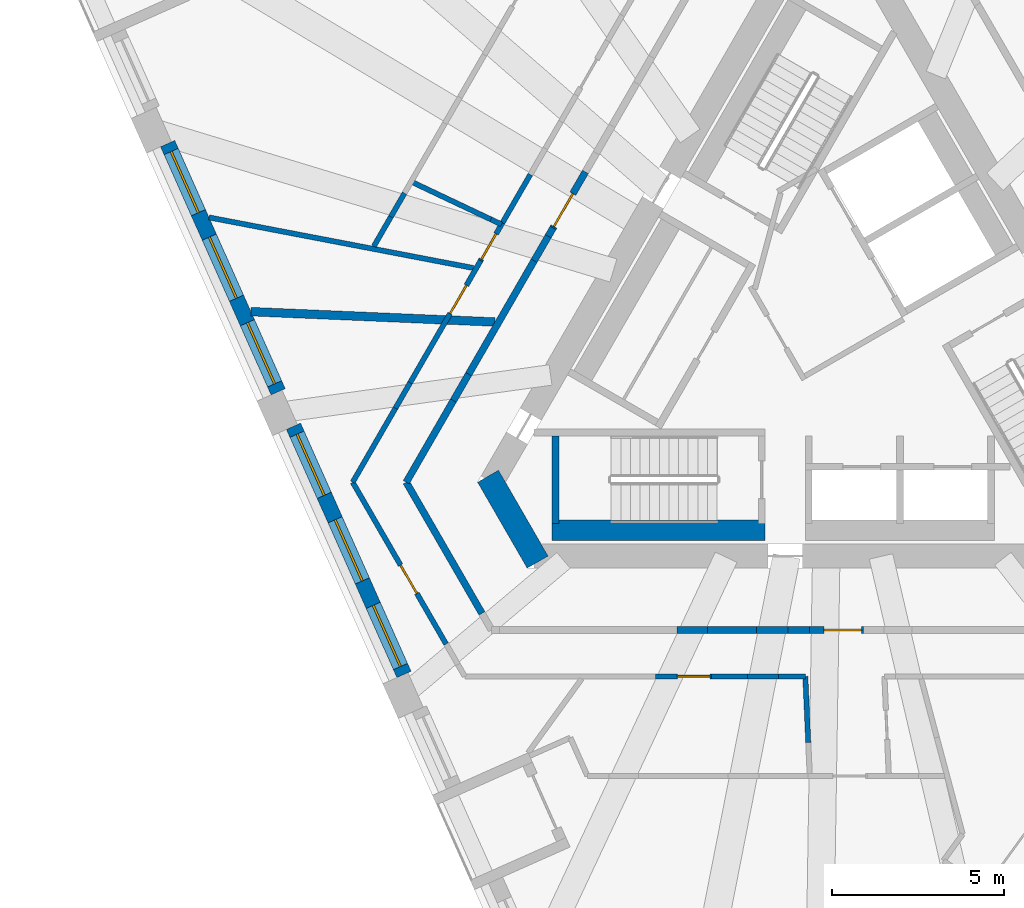
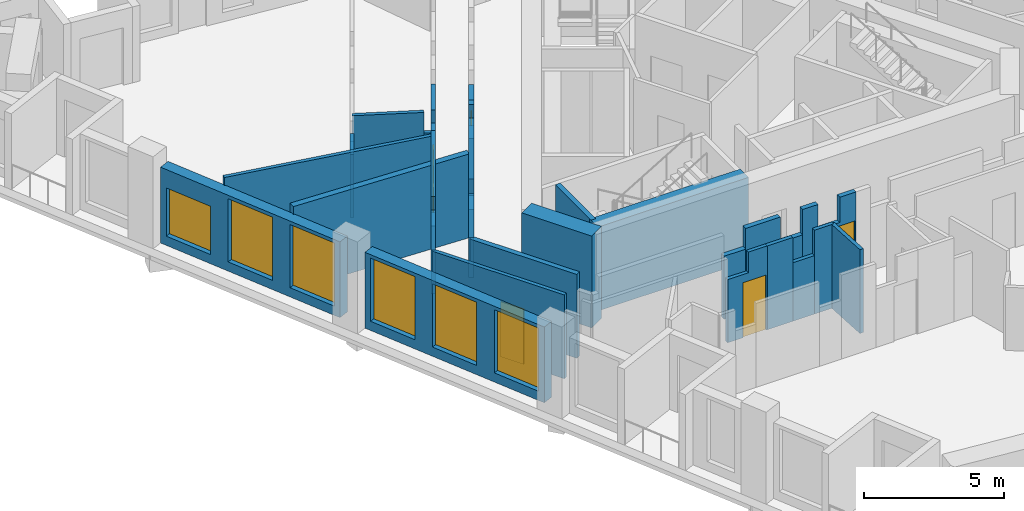
# One storey, part 3 of 11: 34 walls, 6 doors, 6 windows, 12 openings.
"""IFC4 building model written with IfcOpenShell, lengths in metres."""

from ifc_helpers import new_model, si_unit, direction, frame, frame_2d, origin, place, context, subcontext, project, spatial, polyline, rectangle, outline, extrude, material, layer, layer_set, type_object, element, fill, save


model = new_model("IFC4")

# Units and contexts
model_context = context("Model", 3, precision=1e-05, world=origin(), true_north=direction((0.0, 1.0)))
body_context = subcontext(model_context, "Body", "Model", "MODEL_VIEW")
ifc_project = project(units=[si_unit("LENGTHUNIT", "METRE"), si_unit("AREAUNIT", "SQUARE_METRE"), si_unit("VOLUMEUNIT", "CUBIC_METRE"), si_unit("PLANEANGLEUNIT", "RADIAN"), si_unit("MASSUNIT", "GRAM", prefix="KILO")], contexts=[model_context])

# Site, building, storey
site_placement = place(None, origin())
site = spatial("IfcSite", under=ifc_project, at=site_placement, CompositionType="ELEMENT")
building_placement = place(site_placement, origin())
building = spatial("IfcBuilding", under=site, at=building_placement, Name="Tramontana Tower", CompositionType="ELEMENT")
storey_placement = place(building_placement, frame((0.0, 0.0, 261.199951171875)))
storey = spatial("IfcBuildingStorey", under=building, at=storey_placement, Name="L61", CompositionType="ELEMENT", Elevation=261.199951171875)

# Wall
ifc_material_1 = material(Name="Concrete 70 MPa", Category="concrete")
ifc_layer_1 = layer(ifc_material_1, 0.699951171875)
ifc_layer_set_1 = layer_set([ifc_layer_1], Name="Core wall 700 70 MPa")
wall_type_1 = type_object("IfcWallType", Name="Core wall 700 70 MPa", PredefinedType="SHEAR", material=ifc_layer_set_1)
wall_1_placement = place(storey_placement, frame((-9.94482421875, -4.074951171875, 0.0), z_axis=(0.0, 0.0, 1.0), x_axis=(0.499995765644, -0.866027848477, 0.0)))
element("IfcWall", 1, at=wall_1_placement, inside=storey, type_object=wall_type_1, Name="Core wall C2 L61", PredefinedType="SHEAR", context=body_context, shape_type="SweptSolid", body=[
    extrude(rectangle(XDim=2.88671875, YDim=0.699951171875, at=frame_2d((1.443359375, 0.0))), origin(), (0.0, 0.0, 1.0), 4.0),
])

# Wall, opening, door
ifc_material_2 = material(Name="Blockwork", Category="masonry")
ifc_layer_2 = layer(ifc_material_2, 0.199951171875)
ifc_layer_set_2 = layer_set([ifc_layer_2], Name="ENTRY WALL 200")
wall_type_2 = type_object("IfcWallType", Name="ENTRY WALL 200", PredefinedType="SOLIDWALL", material=ifc_layer_set_2)
wall_2_placement = place(storey_placement, frame((-0.585205078125, -8.550048828125, 0.0), z_axis=(0.0, 0.0, 1.0), x_axis=(1.0, 0.0, 0.0)))
wall_2 = element("IfcWall", 2, at=wall_2_placement, inside=storey, type_object=wall_type_2, Name="Wall v62-ew1-5", PredefinedType="SOLIDWALL", context=body_context, shape_type="SweptSolid", body=[
    extrude(outline(polyline([(0.0, 0.0), (1.565673828125, 0.0), (1.56591796875, 3.650146484375), (0.900146484375, 3.650146484375), (0.900146484375, 2.550048828125), (0.0, 2.550048828125), (0.0, 0.0)])), frame((0.0, 0.10009765625, 0.0), z_axis=(0.0, -1.0, 0.0), x_axis=(1.0, 0.0, 0.0)), (0.0, 0.0, 1.0), 0.199951171875),
])
opening_1_placement = place(wall_2_placement, frame((0.415771484375, 0.0, 0.0)))
opening_1 = element("IfcOpeningElement", 3, at=opening_1_placement, cuts=wall_2, Name="Opening B6C-19", PredefinedType="OPENING", context=body_context, shape_type="SweptSolid", body=[
    extrude(rectangle(XDim=1.10009765625, YDim=2.39990234375, at=frame_2d((0.550048828125, 1.199951171875))), frame((0.0, 0.10986328125, 0.0), z_axis=(0.0, -1.0, 0.0), x_axis=(1.0, 0.0, 0.0)), (0.0, 0.0, 1.0), 0.219970703125),
])
ifc_material_3 = material(Name="Painted timber", Category="wood")
door_type_1 = type_object("IfcDoorType", Name="DOOR ENTRY 1100", OperationType="SINGLE_SWING_LEFT", PredefinedType="DOOR", material=ifc_material_3)
door_1_placement = place(opening_1_placement, origin())
door_1 = element("IfcDoor", 4, at=door_1_placement, inside=storey, type_object=door_type_1, Name="Door B6C-19", OperationType="SINGLE_SWING_LEFT", OverallHeight=2.39990234375, OverallWidth=1.10009765625, PredefinedType="DOOR", context=body_context, shape_type="SweptSolid", body=[
    extrude(rectangle(XDim=1.10009765625, YDim=2.39990234375, at=frame_2d((0.550048828125, 1.199951171875))), frame((0.0, 0.02490234375, 0.0), z_axis=(0.0, -1.0, 0.0), x_axis=(1.0, 0.0, 0.0)), (0.0, 0.0, 1.0), 0.050048828125),
])
fill(opening_1, door_1)

# Walls
wall_3_placement = place(storey_placement, frame((-0.585205078125, -8.550048828125, 0.0), z_axis=(0.0, 0.0, 1.0), x_axis=(-1.0, 0.0, 0.0)))
element("IfcWall", 5, at=wall_3_placement, inside=storey, type_object=wall_type_2, Name="Wall v62-ew1-6", PredefinedType="SOLIDWALL", context=body_context, shape_type="SweptSolid", body=[
    extrude(rectangle(XDim=0.6328125, YDim=0.199951171875, at=frame_2d((0.31640625, 0.0))), origin(), (0.0, 0.0, 1.0), 3.650146484375),
])
wall_4_placement = place(storey_placement, frame((-1.218017578125, -8.550048828125, 0.0), z_axis=(0.0, 0.0, 1.0), x_axis=(-1.0, 0.0, 0.0)))
element("IfcWall", 6, at=wall_4_placement, inside=storey, type_object=wall_type_2, Name="Wall v62-ew1-7", PredefinedType="SOLIDWALL", context=body_context, shape_type="SweptSolid", body=[
    extrude(rectangle(XDim=0.9169921875, YDim=0.199951171875, at=frame_2d((0.45849609375, 0.0))), origin(), (0.0, 0.0, 1.0), 2.550048828125),
])
wall_5_placement = place(storey_placement, frame((-2.135009765625, -8.550048828125, 0.0), z_axis=(0.0, 0.0, 1.0), x_axis=(-1.0, 0.0, 0.0)))
element("IfcWall", 7, at=wall_5_placement, inside=storey, type_object=wall_type_2, Name="Wall v62-ew1-8", PredefinedType="SOLIDWALL", context=body_context, shape_type="SweptSolid", body=[
    extrude(rectangle(XDim=1.4296875, YDim=0.199951171875, at=frame_2d((0.71484375, 0.0))), origin(), (0.0, 0.0, 1.0), 3.650146484375),
])
wall_6_placement = place(storey_placement, frame((-3.564697265625, -8.550048828125, 0.0), z_axis=(0.0, 0.0, 1.0), x_axis=(-1.0, 0.0, 0.0)))
element("IfcWall", 8, at=wall_6_placement, inside=storey, type_object=wall_type_2, Name="Wall v62-ew1-9", PredefinedType="SOLIDWALL", context=body_context, shape_type="SweptSolid", body=[
    extrude(rectangle(XDim=0.88330078125, YDim=0.199951171875, at=frame_2d((0.441650390625, 0.0))), origin(), (0.0, 0.0, 1.0), 2.75),
])
wall_7_placement = place(storey_placement, frame((-10.12255859375, -8.067138671875, 0.0), z_axis=(0.0, 0.0, 1.0), x_axis=(-0.500005339912, 0.866022320763, 0.0)))
element("IfcWall", 9, at=wall_7_placement, inside=storey, type_object=wall_type_2, Name="Wall v62-ew2-1", PredefinedType="SOLIDWALL", context=body_context, shape_type="SweptSolid", body=[
    extrude(rectangle(XDim=4.40771484375, YDim=0.199951171875, at=frame_2d((2.203857421875, 0.0))), origin(), (0.0, 0.0, 1.0), 3.650146484375),
])
wall_8_placement = place(storey_placement, frame((-12.326416015625, -4.25, 0.0), z_axis=(0.0, 0.0, 1.0), x_axis=(0.499994514761, 0.866028570666, 0.0)))
element("IfcWall", 10, at=wall_8_placement, inside=storey, type_object=wall_type_2, Name="Wall v62-ew3-0", PredefinedType="SOLIDWALL", context=body_context, shape_type="SweptSolid", body=[
    extrude(rectangle(XDim=2.74462890625, YDim=0.199951171875, at=frame_2d((1.372314453125, 0.0))), origin(), (0.0, 0.0, 1.0), 3.650146484375),
])
wall_9_placement = place(storey_placement, frame((-10.9541015625, -1.873046875, 0.0), z_axis=(0.0, 0.0, 1.0), x_axis=(0.500016243463, 0.866016025414, 0.0)))
element("IfcWall", 11, at=wall_9_placement, inside=storey, type_object=wall_type_2, Name="Wall v62-ew3-1", PredefinedType="SOLIDWALL", context=body_context, shape_type="SweptSolid", body=[
    extrude(rectangle(XDim=0.88720703125, YDim=0.199951171875, at=frame_2d((0.443603515625, 0.0))), origin(), (0.0, 0.0, 1.0), 2.949951171875),
])
wall_10_placement = place(storey_placement, frame((-10.510498046875, -1.104736328125, 0.0), z_axis=(0.0, 0.0, 1.0), x_axis=(0.499997905474, 0.866026613056, 0.0)))
element("IfcWall", 12, at=wall_10_placement, inside=storey, type_object=wall_type_2, Name="Wall v62-ew3-2", PredefinedType="SOLIDWALL", context=body_context, shape_type="SweptSolid", body=[
    extrude(rectangle(XDim=3.810546875, YDim=0.199951171875, at=frame_2d((1.9052734375, 0.0))), origin(), (0.0, 0.0, 1.0), 3.650146484375),
])
wall_11_placement = place(storey_placement, frame((-8.605224609375, 2.1953125, 0.0), z_axis=(0.0, 0.0, 1.0), x_axis=(0.499911126926, 0.866076708598, 0.0)))
element("IfcWall", 13, at=wall_11_placement, inside=storey, type_object=wall_type_2, Name="Wall v62-ew3-3", PredefinedType="SOLIDWALL", context=body_context, shape_type="SweptSolid", body=[
    extrude(rectangle(XDim=0.821533203125, YDim=0.199951171875, at=frame_2d((0.41064453125, 0.0))), origin(), (0.0, 0.0, 1.0), 2.75),
])
wall_12_placement = place(storey_placement, frame((-8.194580078125, 2.90673828125, 0.0), z_axis=(0.0, 0.0, 1.0), x_axis=(0.500220121494, 0.865898279276, 0.0)))
element("IfcWall", 14, at=wall_12_placement, inside=storey, type_object=wall_type_2, Name="Wall v62-ew3-4", PredefinedType="SOLIDWALL", context=body_context, shape_type="SweptSolid", body=[
    extrude(rectangle(XDim=0.282958984375, YDim=0.199951171875, at=frame_2d((0.1416015625, 0.0))), origin(), (0.0, 0.0, 1.0), 3.650146484375),
])

# Wall, opening, door
wall_13_placement = place(storey_placement, frame((-8.052978515625, 3.15185546875, 0.0), z_axis=(0.0, 0.0, 1.0), x_axis=(0.500059305753, 0.865991160884, 0.0)))
wall_13 = element("IfcWall", 15, at=wall_13_placement, inside=storey, type_object=wall_type_2, Name="Wall v62-ew3-5", PredefinedType="SOLIDWALL", context=body_context, shape_type="SweptSolid", body=[
    extrude(outline(polyline([(0.0, 0.0), (1.882080078125, 0.0), (1.882080078125, 2.550048828125), (0.982177734375, 2.550048828125), (0.982177734375, 3.650146484375), (0.0, 3.650146484375), (0.0, 0.0)])), frame((0.0, 0.10009765625, 0.0), z_axis=(0.0, -1.0, 0.0), x_axis=(1.0, 0.0, 0.0)), (0.0, 0.0, 1.0), 0.199951171875),
])
opening_2_placement = place(wall_13_placement, frame((0.050048828125, 0.0, 0.0)))
opening_2 = element("IfcOpeningElement", 16, at=opening_2_placement, cuts=wall_13, Name="Opening B6C-18", PredefinedType="OPENING", context=body_context, shape_type="SweptSolid", body=[
    extrude(rectangle(XDim=1.10009765625, YDim=2.39990234375, at=frame_2d((0.550048828125, 1.199951171875))), frame((0.0, 0.10986328125, 0.0), z_axis=(0.0, -1.0, 0.0), x_axis=(1.0, 0.0, 0.0)), (0.0, 0.0, 1.0), 0.219970703125),
])
door_2_placement = place(opening_2_placement, origin())
door_2 = element("IfcDoor", 17, at=door_2_placement, inside=storey, type_object=door_type_1, Name="Door B6C-18", OperationType="SINGLE_SWING_RIGHT", OverallHeight=2.39990234375, OverallWidth=1.10009765625, PredefinedType="DOOR", context=body_context, shape_type="SweptSolid", body=[
    extrude(rectangle(XDim=1.10009765625, YDim=2.39990234375, at=frame_2d((0.550048828125, 1.199951171875))), frame((0.0, 0.02490234375, 0.0), z_axis=(0.0, -1.0, 0.0), x_axis=(1.0, 0.0, 0.0)), (0.0, 0.0, 1.0), 0.050048828125),
])
fill(opening_2, door_2)

# Wall, openings, windows
ifc_material_4 = material(Name="Precast concrete 60 MPa", Category="concrete")
ifc_layer_3 = layer(ifc_material_4, 0.449951171875)
ifc_layer_set_3 = layer_set([ifc_layer_3], Name="Precast concrete 60 MPa, 450 mm")
wall_type_3 = type_object("IfcWallType", Name="EW1 Stone-faced precast wall 450", PredefinedType="SOLIDWALL", material=ifc_layer_set_3)
wall_14_placement = place(storey_placement, frame((-19.271484375, 5.606201171875, 0.0), z_axis=(0.0, 0.0, 1.0), x_axis=(0.406760076741, -0.913535023942, 0.0)))
wall_14 = element("IfcWall", 18, at=wall_14_placement, inside=storey, type_object=wall_type_3, Name="External wall L61 face 0 bay 2", PredefinedType="SOLIDWALL", context=body_context, shape_type="SweptSolid", body=[
    extrude(rectangle(XDim=7.906494140625, YDim=0.449951171875, at=frame_2d((3.953125, 0.0))), origin(), (0.0, 0.0, 1.0), 3.300048828125),
])
opening_3_placement = place(wall_14_placement, frame((0.251220703125, 0.0, 0.39990234375)))
opening_3 = element("IfcOpeningElement", 19, at=opening_3_placement, cuts=wall_14, Name="Opening M3L", PredefinedType="OPENING", context=body_context, shape_type="SweptSolid", body=[
    extrude(rectangle(XDim=1.949951171875, YDim=2.10009765625, at=frame_2d((0.97509765625, 1.050048828125))), frame((0.0, 0.23486328125, 0.0), z_axis=(0.0, -1.0, 0.0), x_axis=(1.0, 0.0, 0.0)), (0.0, 0.0, 1.0), 0.469970703125),
])
opening_4_placement = place(wall_14_placement, frame((2.978271484375, 0.0, 0.39990234375)))
opening_4 = element("IfcOpeningElement", 20, at=opening_4_placement, cuts=wall_14, Name="Opening M3", PredefinedType="OPENING", context=body_context, shape_type="SweptSolid", body=[
    extrude(rectangle(XDim=1.949951171875, YDim=2.75, at=frame_2d((0.97509765625, 1.375))), frame((0.0, 0.23486328125, 0.0), z_axis=(0.0, -1.0, 0.0), x_axis=(1.0, 0.0, 0.0)), (0.0, 0.0, 1.0), 0.469970703125),
])
opening_5_placement = place(wall_14_placement, frame((5.70556640625, 0.0, 0.39990234375)))
opening_5 = element("IfcOpeningElement", 21, at=opening_5_placement, cuts=wall_14, Name="Opening M3", PredefinedType="OPENING", context=body_context, shape_type="SweptSolid", body=[
    extrude(rectangle(XDim=1.949951171875, YDim=2.75, at=frame_2d((0.97509765625, 1.375))), frame((0.0, 0.23486328125, 0.0), z_axis=(0.0, -1.0, 0.0), x_axis=(1.0, 0.0, 0.0)), (0.0, 0.0, 1.0), 0.469970703125),
])
ifc_material_5 = material(Name="Aluminum frame, double glazing unit", Category="aluminium")
window_type_1 = type_object("IfcWindowType", Name="M3 Window 1.95 x 2.75", PartitioningType="SINGLE_PANEL", PredefinedType="WINDOW", material=ifc_material_5)
window_1_placement = place(opening_4_placement, origin())
window_1 = element("IfcWindow", 22, at=window_1_placement, inside=storey, type_object=window_type_1, Name="Window M3 L61 face 0 module 5", OverallHeight=2.75, OverallWidth=1.949951171875, PartitioningType="SINGLE_PANEL", PredefinedType="WINDOW", context=body_context, shape_type="SweptSolid", body=[
    extrude(rectangle(XDim=1.949951171875, YDim=2.75, at=frame_2d((0.97509765625, 1.375))), frame((0.0, 0.030029296875, 0.0), z_axis=(0.0, -1.0, 0.0), x_axis=(1.0, 0.0, 0.0)), (0.0, 0.0, 1.0), 0.06005859375),
])
fill(opening_4, window_1)
window_2_placement = place(opening_5_placement, origin())
window_2 = element("IfcWindow", 23, at=window_2_placement, inside=storey, type_object=window_type_1, Name="Window M3 L61 face 0 module 6", OverallHeight=2.75, OverallWidth=1.949951171875, PartitioningType="SINGLE_PANEL", PredefinedType="WINDOW", context=body_context, shape_type="SweptSolid", body=[
    extrude(rectangle(XDim=1.949951171875, YDim=2.75, at=frame_2d((0.97509765625, 1.375))), frame((0.0, 0.030029296875, 0.0), z_axis=(0.0, -1.0, 0.0), x_axis=(1.0, 0.0, 0.0)), (0.0, 0.0, 1.0), 0.06005859375),
])
fill(opening_5, window_2)
ifc_material_6 = material(Name="Aluminum frame, double glazing unit", Category="aluminium")
window_type_2 = type_object("IfcWindowType", Name="M3L Window 1.95 x 2.1", PartitioningType="SINGLE_PANEL", PredefinedType="WINDOW", material=ifc_material_6)
window_3_placement = place(opening_3_placement, origin())
window_3 = element("IfcWindow", 24, at=window_3_placement, inside=storey, type_object=window_type_2, Name="Window M3L L61 face 0 module 4", OverallHeight=2.10009765625, OverallWidth=1.949951171875, PartitioningType="SINGLE_PANEL", PredefinedType="WINDOW", context=body_context, shape_type="SweptSolid", body=[
    extrude(rectangle(XDim=1.949951171875, YDim=2.10009765625, at=frame_2d((0.97509765625, 1.050048828125))), frame((0.0, 0.030029296875, 0.0), z_axis=(0.0, -1.0, 0.0), x_axis=(1.0, 0.0, 0.0)), (0.0, 0.0, 1.0), 0.06005859375),
])
fill(opening_3, window_3)

wall_15_placement = place(storey_placement, frame((-15.608154296875, -2.62158203125, 0.0), z_axis=(0.0, 0.0, 1.0), x_axis=(0.406748602972, -0.91354013266, 0.0)))
wall_15 = element("IfcWall", 25, at=wall_15_placement, inside=storey, type_object=wall_type_3, Name="External wall L61 face 0 bay 3", PredefinedType="SOLIDWALL", context=body_context, shape_type="SweptSolid", body=[
    extrude(rectangle(XDim=7.90673828125, YDim=0.449951171875, at=frame_2d((3.953369140625, 0.0))), origin(), (0.0, 0.0, 1.0), 3.300048828125),
])
opening_6_placement = place(wall_15_placement, frame((0.251220703125, 0.0, 0.39990234375)))
opening_6 = element("IfcOpeningElement", 26, at=opening_6_placement, cuts=wall_15, Name="Opening M3", PredefinedType="OPENING", context=body_context, shape_type="SweptSolid", body=[
    extrude(rectangle(XDim=1.949951171875, YDim=2.75, at=frame_2d((0.97509765625, 1.375))), frame((0.0, 0.23486328125, 0.0), z_axis=(0.0, -1.0, 0.0), x_axis=(1.0, 0.0, 0.0)), (0.0, 0.0, 1.0), 0.469970703125),
])
opening_7_placement = place(wall_15_placement, frame((2.978271484375, 0.0, 0.39990234375)))
opening_7 = element("IfcOpeningElement", 27, at=opening_7_placement, cuts=wall_15, Name="Opening M3", PredefinedType="OPENING", context=body_context, shape_type="SweptSolid", body=[
    extrude(rectangle(XDim=1.949951171875, YDim=2.75, at=frame_2d((0.97509765625, 1.375))), frame((0.0, 0.23486328125, 0.0), z_axis=(0.0, -1.0, 0.0), x_axis=(1.0, 0.0, 0.0)), (0.0, 0.0, 1.0), 0.469970703125),
])
opening_8_placement = place(wall_15_placement, frame((5.70556640625, 0.0, 0.39990234375)))
opening_8 = element("IfcOpeningElement", 28, at=opening_8_placement, cuts=wall_15, Name="Opening M3", PredefinedType="OPENING", context=body_context, shape_type="SweptSolid", body=[
    extrude(rectangle(XDim=1.949951171875, YDim=2.75, at=frame_2d((0.97509765625, 1.375))), frame((0.0, 0.23486328125, 0.0), z_axis=(0.0, -1.0, 0.0), x_axis=(1.0, 0.0, 0.0)), (0.0, 0.0, 1.0), 0.469970703125),
])
window_4_placement = place(opening_6_placement, origin())
window_4 = element("IfcWindow", 29, at=window_4_placement, inside=storey, type_object=window_type_1, Name="Window M3 L61 face 0 module 7", OverallHeight=2.75, OverallWidth=1.949951171875, PartitioningType="SINGLE_PANEL", PredefinedType="WINDOW", context=body_context, shape_type="SweptSolid", body=[
    extrude(rectangle(XDim=1.949951171875, YDim=2.75, at=frame_2d((0.97509765625, 1.375))), frame((0.0, 0.030029296875, 0.0), z_axis=(0.0, -1.0, 0.0), x_axis=(1.0, 0.0, 0.0)), (0.0, 0.0, 1.0), 0.06005859375),
])
fill(opening_6, window_4)
window_5_placement = place(opening_7_placement, origin())
window_5 = element("IfcWindow", 30, at=window_5_placement, inside=storey, type_object=window_type_1, Name="Window M3 L61 face 0 module 8", OverallHeight=2.75, OverallWidth=1.949951171875, PartitioningType="SINGLE_PANEL", PredefinedType="WINDOW", context=body_context, shape_type="SweptSolid", body=[
    extrude(rectangle(XDim=1.949951171875, YDim=2.75, at=frame_2d((0.97509765625, 1.375))), frame((0.0, 0.030029296875, 0.0), z_axis=(0.0, -1.0, 0.0), x_axis=(1.0, 0.0, 0.0)), (0.0, 0.0, 1.0), 0.06005859375),
])
fill(opening_7, window_5)
window_6_placement = place(opening_8_placement, origin())
window_6 = element("IfcWindow", 31, at=window_6_placement, inside=storey, type_object=window_type_1, Name="Window M3 L61 face 0 module 9", OverallHeight=2.75, OverallWidth=1.949951171875, PartitioningType="SINGLE_PANEL", PredefinedType="WINDOW", context=body_context, shape_type="SweptSolid", body=[
    extrude(rectangle(XDim=1.949951171875, YDim=2.75, at=frame_2d((0.97509765625, 1.375))), frame((0.0, 0.030029296875, 0.0), z_axis=(0.0, -1.0, 0.0), x_axis=(1.0, 0.0, 0.0)), (0.0, 0.0, 1.0), 0.06005859375),
])
fill(opening_8, window_6)

# Walls
ifc_material_7 = material(Name="Gypsum board partition")
ifc_layer_4 = layer(ifc_material_7, 0.14990234375)
ifc_layer_set_4 = layer_set([ifc_layer_4], Name="PARTITION 150")
wall_type_4 = type_object("IfcWallType", Name="PARTITION 150", PredefinedType="PARTITIONING", material=ifc_layer_set_4)
wall_16_placement = place(storey_placement, frame((-13.88525390625, -4.25, 0.0), z_axis=(0.0, 0.0, 1.0), x_axis=(0.499999788377, 0.866025525965, 0.0)))
element("IfcWall", 32, at=wall_16_placement, inside=storey, type_object=wall_type_4, Name="Wall v62-pw00-0", PredefinedType="PARTITIONING", context=body_context, shape_type="SweptSolid", body=[
    extrude(rectangle(XDim=2.4892578125, YDim=0.14990234375, at=frame_2d((1.24462890625, 0.0))), origin(), (0.0, 0.0, 1.0), 3.650146484375),
])
wall_17_placement = place(storey_placement, frame((-12.640625, -2.09423828125, 0.0), z_axis=(0.0, 0.0, 1.0), x_axis=(0.500068347527, 0.865985939725, 0.0)))
element("IfcWall", 33, at=wall_17_placement, inside=storey, type_object=wall_type_4, Name="Wall v62-pw00-1", PredefinedType="PARTITIONING", context=body_context, shape_type="SweptSolid", body=[
    extrude(rectangle(XDim=0.85546875, YDim=0.14990234375, at=frame_2d((0.427734375, 0.0))), origin(), (0.0, 0.0, 1.0), 2.949951171875),
])

# Wall, opening, door
wall_18_placement = place(storey_placement, frame((-12.212890625, -1.353515625, 0.0), z_axis=(0.0, 0.0, 1.0), x_axis=(0.499992034702, 0.866030002502, 0.0)))
wall_18 = element("IfcWall", 34, at=wall_18_placement, inside=storey, type_object=wall_type_4, Name="Wall v62-pw00-2", PredefinedType="PARTITIONING", context=body_context, shape_type="SweptSolid", body=[
    extrude(rectangle(XDim=4.1025390625, YDim=0.14990234375, at=frame_2d((2.05126953125, 0.0))), origin(), (0.0, 0.0, 1.0), 3.650146484375),
])
opening_9_placement = place(wall_18_placement, frame((2.325439453125, 0.0, 0.0)))
opening_9 = element("IfcOpeningElement", 35, at=opening_9_placement, cuts=wall_18, Name="Opening B6C-04", PredefinedType="OPENING", context=body_context, shape_type="SweptSolid", body=[
    extrude(rectangle(XDim=0.949951171875, YDim=2.39990234375, at=frame_2d((0.47509765625, 1.199951171875))), frame((0.0, 0.0849609375, 0.0), z_axis=(0.0, -1.0, 0.0), x_axis=(1.0, 0.0, 0.0)), (0.0, 0.0, 1.0), 0.169921875),
])
ifc_material_8 = material(Name="Painted timber", Category="wood")
door_type_2 = type_object("IfcDoorType", Name="DOOR ROOM 950", OperationType="SINGLE_SWING_LEFT", PredefinedType="DOOR", material=ifc_material_8)
door_3_placement = place(opening_9_placement, origin())
door_3 = element("IfcDoor", 36, at=door_3_placement, inside=storey, type_object=door_type_2, Name="Door B6C-04", OperationType="SINGLE_SWING_RIGHT", OverallHeight=2.39990234375, OverallWidth=0.949951171875, PredefinedType="DOOR", context=body_context, shape_type="SweptSolid", body=[
    extrude(rectangle(XDim=0.949951171875, YDim=2.39990234375, at=frame_2d((0.47509765625, 1.199951171875))), frame((0.0, 0.02490234375, 0.0), z_axis=(0.0, -1.0, 0.0), x_axis=(1.0, 0.0, 0.0)), (0.0, 0.0, 1.0), 0.050048828125),
])
fill(opening_9, door_3)

wall_19_placement = place(storey_placement, frame((-10.16162109375, 2.199462890625, 0.0), z_axis=(0.0, 0.0, 1.0), x_axis=(0.499905678569, 0.86607985344, 0.0)))
wall_19 = element("IfcWall", 37, at=wall_19_placement, inside=storey, type_object=wall_type_4, Name="Wall v62-pw00-3", PredefinedType="PARTITIONING", context=body_context, shape_type="SweptSolid", body=[
    extrude(outline(polyline([(0.0, 0.0), (1.268798828125, 0.0), (1.268798828125, 2.75), (0.47314453125, 2.75), (0.47314453125, 3.650146484375), (0.0, 3.650146484375), (0.0, 0.0)])), frame((0.0, 0.074951171875, 0.0), z_axis=(0.0, -1.0, 0.0), x_axis=(1.0, 0.0, 0.0)), (0.0, 0.0, 1.0), 0.14990234375),
])
opening_10_placement = place(wall_19_placement, frame((0.050048828125, 0.0, 0.0)))
opening_10 = element("IfcOpeningElement", 38, at=opening_10_placement, cuts=wall_19, Name="Opening B6C-02", PredefinedType="OPENING", context=body_context, shape_type="SweptSolid", body=[
    extrude(rectangle(XDim=0.85009765625, YDim=2.39990234375, at=frame_2d((0.425048828125, 1.199951171875))), frame((0.0, 0.0849609375, 0.0), z_axis=(0.0, -1.0, 0.0), x_axis=(1.0, 0.0, 0.0)), (0.0, 0.0, 1.0), 0.169921875),
])
ifc_material_9 = material(Name="Painted timber", Category="wood")
door_type_3 = type_object("IfcDoorType", Name="DOOR BATH 850", OperationType="SINGLE_SWING_LEFT", PredefinedType="DOOR", material=ifc_material_9)
door_4_placement = place(opening_10_placement, origin())
door_4 = element("IfcDoor", 39, at=door_4_placement, inside=storey, type_object=door_type_3, Name="Door B6C-02", OperationType="SINGLE_SWING_RIGHT", OverallHeight=2.39990234375, OverallWidth=0.85009765625, PredefinedType="DOOR", context=body_context, shape_type="SweptSolid", body=[
    extrude(rectangle(XDim=0.85009765625, YDim=2.39990234375, at=frame_2d((0.425048828125, 1.199951171875))), frame((0.0, 0.02490234375, 0.0), z_axis=(0.0, -1.0, 0.0), x_axis=(1.0, 0.0, 0.0)), (0.0, 0.0, 1.0), 0.050048828125),
])
fill(opening_10, door_4)

# Walls
wall_20_placement = place(storey_placement, frame((-9.52734375, 3.29833984375, 0.0), z_axis=(0.0, 0.0, 1.0), x_axis=(0.500094991843, 0.865970553272, 0.0)))
element("IfcWall", 40, at=wall_20_placement, inside=storey, type_object=wall_type_4, Name="Wall v62-pw00-4", PredefinedType="PARTITIONING", context=body_context, shape_type="SweptSolid", body=[
    extrude(rectangle(XDim=1.626220703125, YDim=0.14990234375, at=frame_2d((0.81298828125, 0.0))), origin(), (0.0, 0.0, 1.0), 3.650146484375),
])
wall_21_placement = place(storey_placement, frame((-13.27001953125, 2.61572265625, 0.0), z_axis=(0.0, 0.0, 1.0), x_axis=(0.49997816789, 0.866038008192, 0.0)))
element("IfcWall", 41, at=wall_21_placement, inside=storey, type_object=wall_type_4, Name="Wall v62-pw01-0", PredefinedType="PARTITIONING", context=body_context, shape_type="SweptSolid", body=[
    extrude(rectangle(XDim=0.99169921875, YDim=0.14990234375, at=frame_2d((0.495849609375, 0.0))), origin(), (0.0, 0.0, 1.0), 3.650146484375),
])
wall_22_placement = place(storey_placement, frame((-12.774169921875, 3.474609375, 0.0), z_axis=(0.0, 0.0, 1.0), x_axis=(0.500165123728, 0.865930048564, 0.0)))
element("IfcWall", 42, at=wall_22_placement, inside=storey, type_object=wall_type_4, Name="Wall v62-pw01-1", PredefinedType="PARTITIONING", context=body_context, shape_type="SweptSolid", body=[
    extrude(rectangle(XDim=0.795654296875, YDim=0.14990234375, at=frame_2d((0.39794921875, 0.0))), origin(), (0.0, 0.0, 1.0), 2.75),
])

# Wall, opening, door
wall_23_placement = place(storey_placement, frame((-11.1650390625, -8.96142578125, 0.0), z_axis=(0.0, 0.0, 1.0), x_axis=(-0.500009912158, 0.866019680922, 0.0)))
wall_23 = element("IfcWall", 43, at=wall_23_placement, inside=storey, type_object=wall_type_4, Name="Wall v62-pw02-2", PredefinedType="PARTITIONING", context=body_context, shape_type="SweptSolid", body=[
    extrude(rectangle(XDim=5.4404296875, YDim=0.14990234375, at=frame_2d((2.72021484375, 0.0))), origin(), (0.0, 0.0, 1.0), 3.650146484375),
])
opening_11_placement = place(wall_23_placement, frame((1.703125, 0.0, 0.0)))
opening_11 = element("IfcOpeningElement", 44, at=opening_11_placement, cuts=wall_23, Name="Opening B6C-08", PredefinedType="OPENING", context=body_context, shape_type="SweptSolid", body=[
    extrude(rectangle(XDim=0.949951171875, YDim=2.39990234375, at=frame_2d((0.47509765625, 1.199951171875))), frame((0.0, 0.0849609375, 0.0), z_axis=(0.0, -1.0, 0.0), x_axis=(1.0, 0.0, 0.0)), (0.0, 0.0, 1.0), 0.169921875),
])
door_5_placement = place(opening_11_placement, origin())
door_5 = element("IfcDoor", 45, at=door_5_placement, inside=storey, type_object=door_type_2, Name="Door B6C-08", OperationType="SINGLE_SWING_RIGHT", OverallHeight=2.39990234375, OverallWidth=0.949951171875, PredefinedType="DOOR", context=body_context, shape_type="SweptSolid", body=[
    extrude(rectangle(XDim=0.949951171875, YDim=2.39990234375, at=frame_2d((0.47509765625, 1.199951171875))), frame((0.0, 0.02490234375, 0.0), z_axis=(0.0, -1.0, 0.0), x_axis=(1.0, 0.0, 0.0)), (0.0, 0.0, 1.0), 0.050048828125),
])
fill(opening_11, door_5)

# Walls
wall_24_placement = place(storey_placement, frame((-10.3720703125, 1.98486328125, 0.0), z_axis=(0.0, 0.0, 1.0), x_axis=(-0.982181141847, 0.187936703706, 0.0)))
element("IfcWall", 46, at=wall_24_placement, inside=storey, type_object=wall_type_4, Name="Wall v62-pw03", PredefinedType="PARTITIONING", context=body_context, shape_type="SweptSolid", body=[
    extrude(rectangle(XDim=7.8359375, YDim=0.14990234375, at=frame_2d((3.91796875, 0.0))), origin(), (0.0, 0.0, 1.0), 3.650146484375),
])
wall_25_placement = place(storey_placement, frame((-9.554931640625, 3.25439453125, 0.0), z_axis=(0.0, 0.0, 1.0), x_axis=(-0.903825387081, 0.427901471917, 0.0)))
element("IfcWall", 47, at=wall_25_placement, inside=storey, type_object=wall_type_4, Name="Wall v62-pw05-0", PredefinedType="PARTITIONING", context=body_context, shape_type="SweptSolid", body=[
    extrude(rectangle(XDim=0.340576171875, YDim=0.14990234375, at=frame_2d((0.17041015625, 0.0))), origin(), (0.0, 0.0, 1.0), 2.75),
])
wall_26_placement = place(storey_placement, frame((-9.86279296875, 3.400146484375, 0.0), z_axis=(0.0, 0.0, 1.0), x_axis=(-0.903761094906, 0.428037245265, 0.0)))
element("IfcWall", 48, at=wall_26_placement, inside=storey, type_object=wall_type_4, Name="Wall v62-pw05-1", PredefinedType="PARTITIONING", context=body_context, shape_type="SweptSolid", body=[
    extrude(rectangle(XDim=2.56494140625, YDim=0.14990234375, at=frame_2d((1.282470703125, 0.0))), origin(), (0.0, 0.0, 1.0), 3.650146484375),
])
wall_27_placement = place(storey_placement, frame((-0.71044921875, -9.89990234375, 0.0), z_axis=(0.0, 0.0, 1.0), x_axis=(-1.0, 0.0, 0.0)))
element("IfcWall", 49, at=wall_27_placement, inside=storey, type_object=wall_type_4, Name="Wall v62-pw11-0", PredefinedType="PARTITIONING", context=body_context, shape_type="SweptSolid", body=[
    extrude(rectangle(XDim=0.784912109375, YDim=0.14990234375, at=frame_2d((0.392578125, 0.0))), origin(), (0.0, 0.0, 1.0), 3.650146484375),
])
wall_28_placement = place(storey_placement, frame((-1.495361328125, -9.89990234375, 0.0), z_axis=(0.0, 0.0, 1.0), x_axis=(-1.0, 0.0, 0.0)))
element("IfcWall", 50, at=wall_28_placement, inside=storey, type_object=wall_type_4, Name="Wall v62-pw11-1", PredefinedType="PARTITIONING", context=body_context, shape_type="SweptSolid", body=[
    extrude(rectangle(XDim=0.891845703125, YDim=0.14990234375, at=frame_2d((0.44580078125, 0.0))), origin(), (0.0, 0.0, 1.0), 2.550048828125),
])
wall_29_placement = place(storey_placement, frame((-2.38720703125, -9.89990234375, 0.0), z_axis=(0.0, 0.0, 1.0), x_axis=(-1.0, 0.0, 0.0)))
element("IfcWall", 51, at=wall_29_placement, inside=storey, type_object=wall_type_4, Name="Wall v62-pw11-2", PredefinedType="PARTITIONING", context=body_context, shape_type="SweptSolid", body=[
    extrude(rectangle(XDim=1.048583984375, YDim=0.14990234375, at=frame_2d((0.5244140625, 0.0))), origin(), (0.0, 0.0, 1.0), 3.650146484375),
])

# Wall, opening, door
wall_30_placement = place(storey_placement, frame((-3.435791015625, -9.89990234375, 0.0), z_axis=(0.0, 0.0, 1.0), x_axis=(-1.0, 0.0, 0.0)))
wall_30 = element("IfcWall", 52, at=wall_30_placement, inside=storey, type_object=wall_type_4, Name="Wall v62-pw11-3", PredefinedType="PARTITIONING", context=body_context, shape_type="SweptSolid", body=[
    extrude(outline(polyline([(0.0, 0.0), (1.631103515625, 0.0), (1.630859375, 2.75), (0.775146484375, 2.75), (0.775146484375, 3.650146484375), (0.0, 3.650146484375), (0.0, 0.0)])), frame((0.0, 0.074951171875, 0.0), z_axis=(0.0, -1.0, 0.0), x_axis=(1.0, 0.0, 0.0)), (0.0, 0.0, 1.0), 0.14990234375),
])
opening_12_placement = place(wall_30_placement, frame((0.050048828125, 0.0, 0.0)))
opening_12 = element("IfcOpeningElement", 53, at=opening_12_placement, cuts=wall_30, Name="Opening B6C-05", PredefinedType="OPENING", context=body_context, shape_type="SweptSolid", body=[
    extrude(rectangle(XDim=0.949951171875, YDim=2.39990234375, at=frame_2d((0.47509765625, 1.199951171875))), frame((0.0, 0.0849609375, 0.0), z_axis=(0.0, -1.0, 0.0), x_axis=(1.0, 0.0, 0.0)), (0.0, 0.0, 1.0), 0.169921875),
])
door_6_placement = place(opening_12_placement, origin())
door_6 = element("IfcDoor", 54, at=door_6_placement, inside=storey, type_object=door_type_2, Name="Door B6C-05", OperationType="SINGLE_SWING_LEFT", OverallHeight=2.39990234375, OverallWidth=0.949951171875, PredefinedType="DOOR", context=body_context, shape_type="SweptSolid", body=[
    extrude(rectangle(XDim=0.949951171875, YDim=2.39990234375, at=frame_2d((0.47509765625, 1.199951171875))), frame((0.0, 0.02490234375, 0.0), z_axis=(0.0, -1.0, 0.0), x_axis=(1.0, 0.0, 0.0)), (0.0, 0.0, 1.0), 0.050048828125),
])
fill(opening_12, door_6)

# Walls
wall_31_placement = place(storey_placement, frame((-0.62451171875, -11.82958984375, 0.0), z_axis=(0.0, 0.0, 1.0), x_axis=(-0.044490315678, 0.999009815673, 0.0)))
element("IfcWall", 55, at=wall_31_placement, inside=storey, type_object=wall_type_4, Name="Wall v62-pw12-1", PredefinedType="PARTITIONING", context=body_context, shape_type="SweptSolid", body=[
    extrude(rectangle(XDim=1.931640625, YDim=0.14990234375, at=frame_2d((0.9658203125, 0.0))), origin(), (0.0, 0.0, 1.0), 3.650146484375),
])
ifc_material_10 = material(Name="Blockwork", Category="masonry")
ifc_layer_5 = layer(ifc_material_10, 0.25)
ifc_layer_set_5 = layer_set([ifc_layer_5], Name="PARTY WALL 250")
wall_type_5 = type_object("IfcWallType", Name="PARTY WALL 250", PredefinedType="SOLIDWALL", material=ifc_layer_set_5)
wall_32_placement = place(storey_placement, frame((-9.749267578125, 0.413818359375, 0.0), z_axis=(0.0, 0.0, 1.0), x_axis=(-0.999101948484, 0.042370939757, 0.0)))
element("IfcWall", 56, at=wall_32_placement, inside=storey, type_object=wall_type_5, Name="Wall v62-pw04", PredefinedType="SOLIDWALL", context=body_context, shape_type="SweptSolid", body=[
    extrude(rectangle(XDim=7.1044921875, YDim=0.25, at=frame_2d((3.55224609375, 0.0))), origin(), (0.0, 0.0, 1.0), 3.650146484375),
])
ifc_material_11 = material(Name="Concrete 70 MPa", Category="concrete")
ifc_layer_6 = layer(ifc_material_11, 0.60009765625)
ifc_layer_set_6 = layer_set([ifc_layer_6], Name="Concrete 70 MPa, 600 mm")
wall_type_6 = type_object("IfcWallType", Name="RC SHAFT BACK WALL 600", PredefinedType="SOLIDWALL", material=ifc_layer_set_6)
wall_33_placement = place(storey_placement, frame((-8.080078125, -5.64990234375, 0.0), z_axis=(0.0, 0.0, 1.0), x_axis=(1.0, 0.0, 0.0)))
element("IfcWall", 57, at=wall_33_placement, inside=storey, type_object=wall_type_6, Name="Wall st2-back", PredefinedType="SOLIDWALL", context=body_context, shape_type="SweptSolid", body=[
    extrude(rectangle(XDim=6.2001953125, YDim=0.60009765625, at=frame_2d((3.10009765625, 0.0))), origin(), (0.0, 0.0, 1.0), 3.650146484375),
])
ifc_material_12 = material(Name="Concrete 70 MPa", Category="concrete")
ifc_layer_7 = layer(ifc_material_12, 0.199951171875)
ifc_layer_set_7 = layer_set([ifc_layer_7], Name="Concrete 70 MPa, 200 mm")
wall_type_7 = type_object("IfcWallType", Name="RC STAIR AND SHAFT WALL 200", PredefinedType="SOLIDWALL", material=ifc_layer_set_7)
wall_34_placement = place(storey_placement, frame((-7.97998046875, -2.89990234375, 0.0), z_axis=(0.0, 0.0, 1.0), x_axis=(0.0, -1.0, 0.0)))
element("IfcWall", 58, at=wall_34_placement, inside=storey, type_object=wall_type_7, Name="Wall st2-far", PredefinedType="SOLIDWALL", context=body_context, shape_type="SweptSolid", body=[
    extrude(rectangle(XDim=2.550048828125, YDim=0.199951171875, at=frame_2d((1.27490234375, 0.0))), origin(), (0.0, 0.0, 1.0), 3.650146484375),
])

save(model, "model.ifc")
